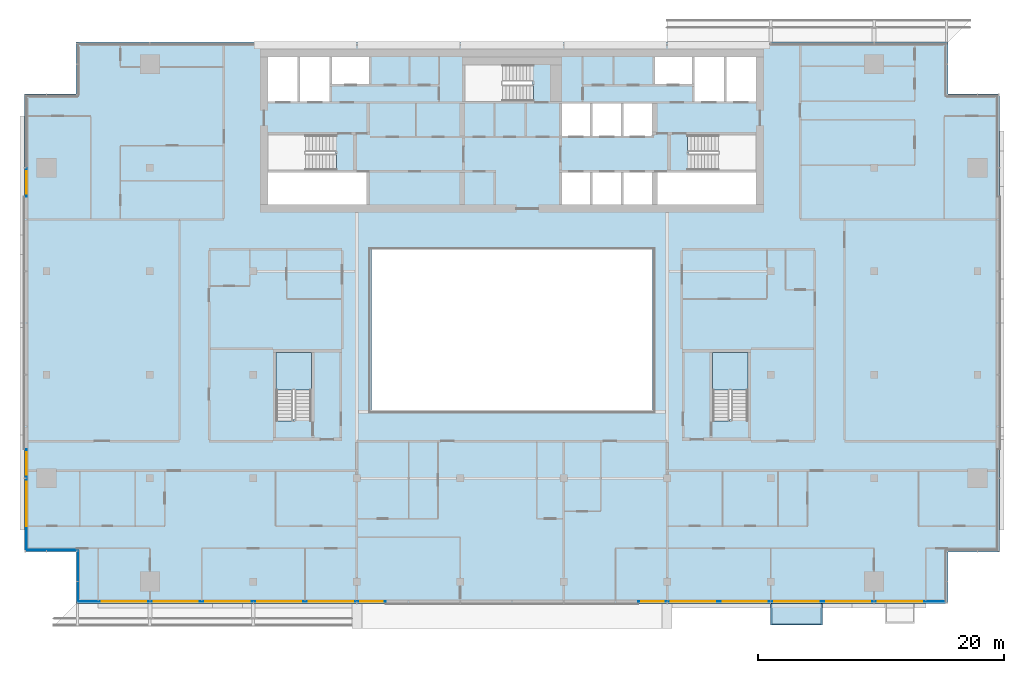
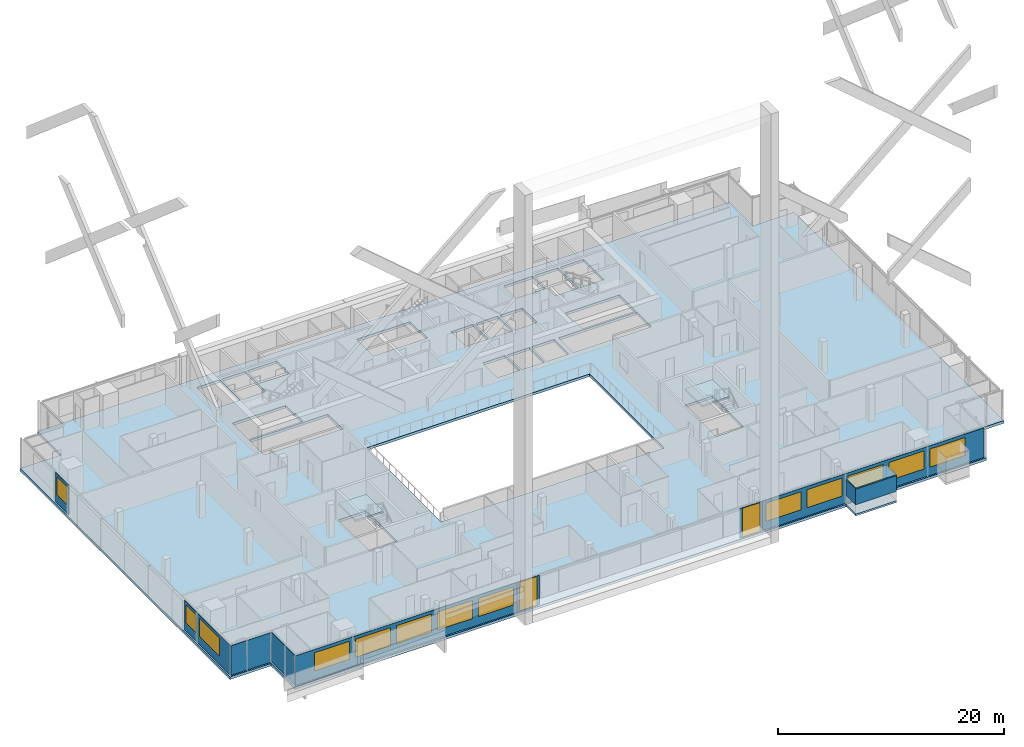
# One storey, part 17 of 31: 15 windows, 11 plates, 4 slabs, 15 openings, 6 elements without a shape of their own.
"""IFC4 building model written with IfcOpenShell, lengths in metres."""

from ifc_helpers import new_model, si_unit, direction, frame, frame_2d, origin, place, context, subcontext, project, spatial, polyline, rectangle, outline, extrude, material, layer, layer_set, type_object, element, fill, aggregate, save


model = new_model("IFC4")

# Units and contexts
model_context = context("Model", 3, precision=1e-05, world=origin(), true_north=direction((0.0, 1.0)))
body_context = subcontext(model_context, "Body", "Model", "MODEL_VIEW")
ifc_project = project(units=[si_unit("LENGTHUNIT", "METRE"), si_unit("AREAUNIT", "SQUARE_METRE"), si_unit("VOLUMEUNIT", "CUBIC_METRE"), si_unit("PLANEANGLEUNIT", "RADIAN"), si_unit("MASSUNIT", "GRAM", prefix="KILO")], contexts=[model_context])

# Site, building, storey
site_placement = place(None, origin())
site = spatial("IfcSite", under=ifc_project, at=site_placement, CompositionType="ELEMENT")
building_placement = place(site_placement, origin())
building = spatial("IfcBuilding", under=site, at=building_placement, Name="Saffron Gate Tower", CompositionType="ELEMENT")
storey_placement = place(building_placement, frame((0.0, 0.0, 205.5)))
storey = spatial("IfcBuildingStorey", under=building, at=storey_placement, Name="L49", CompositionType="ELEMENT", Elevation=205.5)

# Curtain wall, plates, openings, windows
ifc_material_1 = material(Name="Aluminium, bronze anodised", Category="aluminium")
curtain_wall_type_1 = type_object("IfcCurtainWallType", Name="CWS1 curtain wall front facade", PredefinedType="NOTDEFINED", material=ifc_material_1)
curtain_wall_1_placement = place(storey_placement, origin())
curtain_wall_1 = element("IfcCurtainWall", 1, at=curtain_wall_1_placement, inside=storey, type_object=curtain_wall_type_1, Name="CWS1 run 1", PredefinedType="NOTDEFINED")
ifc_material_2 = material(Name="Clear low-iron laminated glass", Category="glass")
ifc_layer_1 = layer(ifc_material_2, 0.028076171875)
ifc_layer_set_1 = layer_set([ifc_layer_1], Name="CWS1 clear glass")
plate_type_1 = type_object("IfcPlateType", Name="CWS1 clear glass", PredefinedType="CURTAIN_PANEL", material=ifc_layer_set_1)
plate_1_placement = place(storey_placement, frame((75.030029296875, 30.174072265625, 0.0), z_axis=(0.0, 0.0, 1.0), x_axis=(1.0, 0.0, 0.0)))
plate_1 = element("IfcPlate", 2, at=plate_1_placement, type_object=plate_type_1, Name="CWS1 clear glass panel", PredefinedType="CURTAIN_PANEL", context=body_context, shape_type="SweptSolid", body=[
    extrude(rectangle(XDim=2.32080078125, YDim=0.028076171875, at=frame_2d((1.160400390625, 0.0))), origin(), (0.0, 0.0, 1.0), 3.199951171875),
])
opening_1_placement = place(plate_1_placement, frame((0.260498046875, 0.0, 0.050048828125)))
opening_1 = element("IfcOpeningElement", 3, at=opening_1_placement, cuts=plate_1, Name="Opening WAN18", PredefinedType="OPENING", context=body_context, shape_type="SweptSolid", body=[
    extrude(rectangle(XDim=1.800048828125, YDim=3.10009765625, at=frame_2d((0.89990234375, 1.550048828125))), frame((0.0, 0.02392578125, 0.0), z_axis=(0.0, -1.0, 0.0), x_axis=(1.0, 0.0, 0.0)), (0.0, 0.0, 1.0), 0.048095703125),
])
ifc_material_3 = material(Name="Clear low-iron laminated glass in bronze frame", Category="glass")
ifc_layer_2 = layer(ifc_material_3, 0.06005859375)
ifc_layer_set_2 = layer_set([ifc_layer_2], Name="WAN18 operable atrium unit 1800x3100")
window_type_1 = type_object("IfcWindowType", Name="WAN18 operable atrium unit 1800x3100", PartitioningType="DOUBLE_PANEL_HORIZONTAL", PredefinedType="WINDOW", material=ifc_layer_set_2)
window_1_placement = place(opening_1_placement, origin())
window_1 = element("IfcWindow", 4, at=window_1_placement, type_object=window_type_1, Name="WAN18 operable atrium unit", OverallHeight=3.10009765625, OverallWidth=1.800048828125, PartitioningType="SINGLE_PANEL", PredefinedType="WINDOW", context=body_context, shape_type="SweptSolid", body=[
    extrude(rectangle(XDim=1.800048828125, YDim=3.10009765625, at=frame_2d((0.89990234375, 1.550048828125))), frame((0.0, 0.013671875, 0.0), z_axis=(0.0, -1.0, 0.0), x_axis=(1.0, 0.0, 0.0)), (0.0, 0.0, 1.0), 0.027587890625),
])
fill(opening_1, window_1)
plate_2_placement = place(storey_placement, frame((97.84912109375, 30.174072265625, 0.0), z_axis=(0.0, 0.0, 1.0), x_axis=(1.0, 0.0, 0.0)))
plate_2 = element("IfcPlate", 5, at=plate_2_placement, type_object=plate_type_1, Name="CWS1 clear glass panel", PredefinedType="CURTAIN_PANEL", context=body_context, shape_type="SweptSolid", body=[
    extrude(rectangle(XDim=2.32080078125, YDim=0.028076171875, at=frame_2d((1.160400390625, 0.0))), origin(), (0.0, 0.0, 1.0), 3.199951171875),
])
opening_2_placement = place(plate_2_placement, frame((0.260498046875, 0.0, 0.050048828125)))
opening_2 = element("IfcOpeningElement", 6, at=opening_2_placement, cuts=plate_2, Name="Opening WAN18", PredefinedType="OPENING", context=body_context, shape_type="SweptSolid", body=[
    extrude(rectangle(XDim=1.800048828125, YDim=3.10009765625, at=frame_2d((0.89990234375, 1.550048828125))), frame((0.0, 0.02392578125, 0.0), z_axis=(0.0, -1.0, 0.0), x_axis=(1.0, 0.0, 0.0)), (0.0, 0.0, 1.0), 0.048095703125),
])
window_2_placement = place(opening_2_placement, origin())
window_2 = element("IfcWindow", 7, at=window_2_placement, type_object=window_type_1, Name="WAN18 operable atrium unit", OverallHeight=3.10009765625, OverallWidth=1.800048828125, PartitioningType="SINGLE_PANEL", PredefinedType="WINDOW", context=body_context, shape_type="SweptSolid", body=[
    extrude(rectangle(XDim=1.800048828125, YDim=3.10009765625, at=frame_2d((0.89990234375, 1.550048828125))), frame((0.0, 0.013671875, 0.0), z_axis=(0.0, -1.0, 0.0), x_axis=(1.0, 0.0, 0.0)), (0.0, 0.0, 1.0), 0.027587890625),
])
fill(opening_2, window_2)
ifc_material_4 = material(Name="Fritted bronze-tinted laminated glass", Category="glass")
ifc_layer_3 = layer(ifc_material_4, 0.028076171875)
ifc_layer_set_3 = layer_set([ifc_layer_3], Name="CWS1 fixed glass")
plate_type_2 = type_object("IfcPlateType", Name="CWS1 fixed glass", PredefinedType="CURTAIN_PANEL", material=ifc_layer_set_3)
plate_3_placement = place(storey_placement, frame((52.387939453125, 30.174072265625, 0.0), z_axis=(0.0, 0.0, 1.0), x_axis=(1.0, 0.0, 0.0)))
plate_3 = element("IfcPlate", 8, at=plate_3_placement, type_object=plate_type_2, Name="CWS1 glass panel", PredefinedType="CURTAIN_PANEL", context=body_context, shape_type="SweptSolid", body=[
    extrude(rectangle(XDim=22.64208984375, YDim=0.028076171875, at=frame_2d((11.321044921875, 0.0))), origin(), (0.0, 0.0, 1.0), 3.199951171875),
])
opening_3_placement = place(plate_3_placement, frame((1.912109375, 0.0, 0.89990234375)))
opening_3 = element("IfcOpeningElement", 9, at=opening_3_placement, cuts=plate_3, Name="Opening W1", PredefinedType="OPENING", context=body_context, shape_type="SweptSolid", body=[
    extrude(rectangle(XDim=3.60009765625, YDim=1.949951171875, at=frame_2d((1.800048828125, 0.97509765625))), frame((0.0, 0.02392578125, 0.0), z_axis=(0.0, -1.0, 0.0), x_axis=(1.0, 0.0, 0.0)), (0.0, 0.0, 1.0), 0.048095703125),
])
opening_4_placement = place(plate_3_placement, frame((6.112060546875, 0.0, 0.89990234375)))
opening_4 = element("IfcOpeningElement", 10, at=opening_4_placement, cuts=plate_3, Name="Opening W1", PredefinedType="OPENING", context=body_context, shape_type="SweptSolid", body=[
    extrude(rectangle(XDim=3.60009765625, YDim=1.949951171875, at=frame_2d((1.800048828125, 0.97509765625))), frame((0.0, 0.02392578125, 0.0), z_axis=(0.0, -1.0, 0.0), x_axis=(1.0, 0.0, 0.0)), (0.0, 0.0, 1.0), 0.048095703125),
])
opening_5_placement = place(plate_3_placement, frame((10.31201171875, 0.0, 0.89990234375)))
opening_5 = element("IfcOpeningElement", 11, at=opening_5_placement, cuts=plate_3, Name="Opening W1", PredefinedType="OPENING", context=body_context, shape_type="SweptSolid", body=[
    extrude(rectangle(XDim=3.60009765625, YDim=1.949951171875, at=frame_2d((1.800048828125, 0.97509765625))), frame((0.0, 0.02392578125, 0.0), z_axis=(0.0, -1.0, 0.0), x_axis=(1.0, 0.0, 0.0)), (0.0, 0.0, 1.0), 0.048095703125),
])
opening_6_placement = place(plate_3_placement, frame((14.511962890625, 0.0, 0.89990234375)))
opening_6 = element("IfcOpeningElement", 12, at=opening_6_placement, cuts=plate_3, Name="Opening W1", PredefinedType="OPENING", context=body_context, shape_type="SweptSolid", body=[
    extrude(rectangle(XDim=3.60009765625, YDim=1.949951171875, at=frame_2d((1.800048828125, 0.97509765625))), frame((0.0, 0.02392578125, 0.0), z_axis=(0.0, -1.0, 0.0), x_axis=(1.0, 0.0, 0.0)), (0.0, 0.0, 1.0), 0.048095703125),
])
opening_7_placement = place(plate_3_placement, frame((18.7119140625, 0.0, 0.89990234375)))
opening_7 = element("IfcOpeningElement", 13, at=opening_7_placement, cuts=plate_3, Name="Opening W1", PredefinedType="OPENING", context=body_context, shape_type="SweptSolid", body=[
    extrude(rectangle(XDim=3.60009765625, YDim=1.949951171875, at=frame_2d((1.800048828125, 0.97509765625))), frame((0.0, 0.02392578125, 0.0), z_axis=(0.0, -1.0, 0.0), x_axis=(1.0, 0.0, 0.0)), (0.0, 0.0, 1.0), 0.048095703125),
])
ifc_material_5 = material(Name="Fritted bronze-tinted laminated glass in bronze frame", Category="glass")
ifc_layer_4 = layer(ifc_material_5, 0.06005859375)
ifc_layer_set_4 = layer_set([ifc_layer_4], Name="W1 operable panel 3600x1950")
window_type_2 = type_object("IfcWindowType", Name="W1 operable panel 3600x1950", PartitioningType="DOUBLE_PANEL_HORIZONTAL", PredefinedType="WINDOW", material=ifc_layer_set_4)
window_3_placement = place(opening_3_placement, origin())
window_3 = element("IfcWindow", 14, at=window_3_placement, type_object=window_type_2, Name="W1 operable panel", OverallHeight=1.949951171875, OverallWidth=3.60009765625, PartitioningType="SINGLE_PANEL", PredefinedType="WINDOW", context=body_context, shape_type="SweptSolid", body=[
    extrude(rectangle(XDim=3.60009765625, YDim=1.949951171875, at=frame_2d((1.800048828125, 0.97509765625))), frame((0.0, 0.013671875, 0.0), z_axis=(0.0, -1.0, 0.0), x_axis=(1.0, 0.0, 0.0)), (0.0, 0.0, 1.0), 0.027587890625),
])
fill(opening_3, window_3)
window_4_placement = place(opening_4_placement, origin())
window_4 = element("IfcWindow", 15, at=window_4_placement, type_object=window_type_2, Name="W1 operable panel", OverallHeight=1.949951171875, OverallWidth=3.60009765625, PartitioningType="SINGLE_PANEL", PredefinedType="WINDOW", context=body_context, shape_type="SweptSolid", body=[
    extrude(rectangle(XDim=3.60009765625, YDim=1.949951171875, at=frame_2d((1.800048828125, 0.97509765625))), frame((0.0, 0.013671875, 0.0), z_axis=(0.0, -1.0, 0.0), x_axis=(1.0, 0.0, 0.0)), (0.0, 0.0, 1.0), 0.027587890625),
])
fill(opening_4, window_4)
window_5_placement = place(opening_5_placement, origin())
window_5 = element("IfcWindow", 16, at=window_5_placement, type_object=window_type_2, Name="W1 operable panel", OverallHeight=1.949951171875, OverallWidth=3.60009765625, PartitioningType="SINGLE_PANEL", PredefinedType="WINDOW", context=body_context, shape_type="SweptSolid", body=[
    extrude(rectangle(XDim=3.60009765625, YDim=1.949951171875, at=frame_2d((1.800048828125, 0.97509765625))), frame((0.0, 0.013671875, 0.0), z_axis=(0.0, -1.0, 0.0), x_axis=(1.0, 0.0, 0.0)), (0.0, 0.0, 1.0), 0.027587890625),
])
fill(opening_5, window_5)
window_6_placement = place(opening_6_placement, origin())
window_6 = element("IfcWindow", 17, at=window_6_placement, type_object=window_type_2, Name="W1 operable panel", OverallHeight=1.949951171875, OverallWidth=3.60009765625, PartitioningType="SINGLE_PANEL", PredefinedType="WINDOW", context=body_context, shape_type="SweptSolid", body=[
    extrude(rectangle(XDim=3.60009765625, YDim=1.949951171875, at=frame_2d((1.800048828125, 0.97509765625))), frame((0.0, 0.013671875, 0.0), z_axis=(0.0, -1.0, 0.0), x_axis=(1.0, 0.0, 0.0)), (0.0, 0.0, 1.0), 0.027587890625),
])
fill(opening_6, window_6)
window_7_placement = place(opening_7_placement, origin())
window_7 = element("IfcWindow", 18, at=window_7_placement, type_object=window_type_2, Name="W1 operable panel", OverallHeight=1.949951171875, OverallWidth=3.60009765625, PartitioningType="SINGLE_PANEL", PredefinedType="WINDOW", context=body_context, shape_type="SweptSolid", body=[
    extrude(rectangle(XDim=3.60009765625, YDim=1.949951171875, at=frame_2d((1.800048828125, 0.97509765625))), frame((0.0, 0.013671875, 0.0), z_axis=(0.0, -1.0, 0.0), x_axis=(1.0, 0.0, 0.0)), (0.0, 0.0, 1.0), 0.027587890625),
])
fill(opening_7, window_7)
plate_4_placement = place(storey_placement, frame((100.169921875, 30.174072265625, 0.0), z_axis=(0.0, 0.0, 1.0), x_axis=(1.0, 0.0, 0.0)))
plate_4 = element("IfcPlate", 19, at=plate_4_placement, type_object=plate_type_2, Name="CWS1 glass panel", PredefinedType="CURTAIN_PANEL", context=body_context, shape_type="SweptSolid", body=[
    extrude(rectangle(XDim=22.64208984375, YDim=0.028076171875, at=frame_2d((11.321044921875, 0.0))), origin(), (0.0, 0.0, 1.0), 3.199951171875),
])
opening_8_placement = place(plate_4_placement, frame((0.330078125, 0.0, 0.89990234375)))
opening_8 = element("IfcOpeningElement", 20, at=opening_8_placement, cuts=plate_4, Name="Opening W1", PredefinedType="OPENING", context=body_context, shape_type="SweptSolid", body=[
    extrude(rectangle(XDim=3.60009765625, YDim=1.949951171875, at=frame_2d((1.800048828125, 0.97509765625))), frame((0.0, 0.02392578125, 0.0), z_axis=(0.0, -1.0, 0.0), x_axis=(1.0, 0.0, 0.0)), (0.0, 0.0, 1.0), 0.048095703125),
])
opening_9_placement = place(plate_4_placement, frame((4.530029296875, 0.0, 0.89990234375)))
opening_9 = element("IfcOpeningElement", 21, at=opening_9_placement, cuts=plate_4, Name="Opening W1", PredefinedType="OPENING", context=body_context, shape_type="SweptSolid", body=[
    extrude(rectangle(XDim=3.60009765625, YDim=1.949951171875, at=frame_2d((1.800048828125, 0.97509765625))), frame((0.0, 0.02392578125, 0.0), z_axis=(0.0, -1.0, 0.0), x_axis=(1.0, 0.0, 0.0)), (0.0, 0.0, 1.0), 0.048095703125),
])
opening_10_placement = place(plate_4_placement, frame((8.72998046875, 0.0, 0.89990234375)))
opening_10 = element("IfcOpeningElement", 22, at=opening_10_placement, cuts=plate_4, Name="Opening W1", PredefinedType="OPENING", context=body_context, shape_type="SweptSolid", body=[
    extrude(rectangle(XDim=3.60009765625, YDim=1.949951171875, at=frame_2d((1.800048828125, 0.97509765625))), frame((0.0, 0.02392578125, 0.0), z_axis=(0.0, -1.0, 0.0), x_axis=(1.0, 0.0, 0.0)), (0.0, 0.0, 1.0), 0.048095703125),
])
opening_11_placement = place(plate_4_placement, frame((12.929931640625, 0.0, 0.89990234375)))
opening_11 = element("IfcOpeningElement", 23, at=opening_11_placement, cuts=plate_4, Name="Opening W1", PredefinedType="OPENING", context=body_context, shape_type="SweptSolid", body=[
    extrude(rectangle(XDim=3.60009765625, YDim=1.949951171875, at=frame_2d((1.800048828125, 0.97509765625))), frame((0.0, 0.02392578125, 0.0), z_axis=(0.0, -1.0, 0.0), x_axis=(1.0, 0.0, 0.0)), (0.0, 0.0, 1.0), 0.048095703125),
])
opening_12_placement = place(plate_4_placement, frame((17.1298828125, 0.0, 0.89990234375)))
opening_12 = element("IfcOpeningElement", 24, at=opening_12_placement, cuts=plate_4, Name="Opening W1", PredefinedType="OPENING", context=body_context, shape_type="SweptSolid", body=[
    extrude(rectangle(XDim=3.60009765625, YDim=1.949951171875, at=frame_2d((1.800048828125, 0.97509765625))), frame((0.0, 0.02392578125, 0.0), z_axis=(0.0, -1.0, 0.0), x_axis=(1.0, 0.0, 0.0)), (0.0, 0.0, 1.0), 0.048095703125),
])
window_8_placement = place(opening_8_placement, origin())
window_8 = element("IfcWindow", 25, at=window_8_placement, type_object=window_type_2, Name="W1 operable panel", OverallHeight=1.949951171875, OverallWidth=3.60009765625, PartitioningType="SINGLE_PANEL", PredefinedType="WINDOW", context=body_context, shape_type="SweptSolid", body=[
    extrude(rectangle(XDim=3.60009765625, YDim=1.949951171875, at=frame_2d((1.800048828125, 0.97509765625))), frame((0.0, 0.013671875, 0.0), z_axis=(0.0, -1.0, 0.0), x_axis=(1.0, 0.0, 0.0)), (0.0, 0.0, 1.0), 0.027587890625),
])
fill(opening_8, window_8)
window_9_placement = place(opening_9_placement, origin())
window_9 = element("IfcWindow", 26, at=window_9_placement, type_object=window_type_2, Name="W1 operable panel", OverallHeight=1.949951171875, OverallWidth=3.60009765625, PartitioningType="SINGLE_PANEL", PredefinedType="WINDOW", context=body_context, shape_type="SweptSolid", body=[
    extrude(rectangle(XDim=3.60009765625, YDim=1.949951171875, at=frame_2d((1.800048828125, 0.97509765625))), frame((0.0, 0.013671875, 0.0), z_axis=(0.0, -1.0, 0.0), x_axis=(1.0, 0.0, 0.0)), (0.0, 0.0, 1.0), 0.027587890625),
])
fill(opening_9, window_9)
window_10_placement = place(opening_10_placement, origin())
window_10 = element("IfcWindow", 27, at=window_10_placement, type_object=window_type_2, Name="W1 operable panel", OverallHeight=1.949951171875, OverallWidth=3.60009765625, PartitioningType="SINGLE_PANEL", PredefinedType="WINDOW", context=body_context, shape_type="SweptSolid", body=[
    extrude(rectangle(XDim=3.60009765625, YDim=1.949951171875, at=frame_2d((1.800048828125, 0.97509765625))), frame((0.0, 0.013671875, 0.0), z_axis=(0.0, -1.0, 0.0), x_axis=(1.0, 0.0, 0.0)), (0.0, 0.0, 1.0), 0.027587890625),
])
fill(opening_10, window_10)
window_11_placement = place(opening_11_placement, origin())
window_11 = element("IfcWindow", 28, at=window_11_placement, type_object=window_type_2, Name="W1 operable panel", OverallHeight=1.949951171875, OverallWidth=3.60009765625, PartitioningType="SINGLE_PANEL", PredefinedType="WINDOW", context=body_context, shape_type="SweptSolid", body=[
    extrude(rectangle(XDim=3.60009765625, YDim=1.949951171875, at=frame_2d((1.800048828125, 0.97509765625))), frame((0.0, 0.013671875, 0.0), z_axis=(0.0, -1.0, 0.0), x_axis=(1.0, 0.0, 0.0)), (0.0, 0.0, 1.0), 0.027587890625),
])
fill(opening_11, window_11)
window_12_placement = place(opening_12_placement, origin())
window_12 = element("IfcWindow", 29, at=window_12_placement, type_object=window_type_2, Name="W1 operable panel", OverallHeight=1.949951171875, OverallWidth=3.60009765625, PartitioningType="SINGLE_PANEL", PredefinedType="WINDOW", context=body_context, shape_type="SweptSolid", body=[
    extrude(rectangle(XDim=3.60009765625, YDim=1.949951171875, at=frame_2d((1.800048828125, 0.97509765625))), frame((0.0, 0.013671875, 0.0), z_axis=(0.0, -1.0, 0.0), x_axis=(1.0, 0.0, 0.0)), (0.0, 0.0, 1.0), 0.027587890625),
])
fill(opening_12, window_12)
aggregate(curtain_wall_1, [plate_3, plate_4, plate_1, plate_2, window_3, window_4, window_5, window_6, window_7, window_8, window_9, window_10, window_11, window_12, window_1, window_2])

curtain_wall_type_2 = type_object("IfcCurtainWallType", Name="CWS2 curtain wall side facades", PredefinedType="NOTDEFINED", material=ifc_material_1)
curtain_wall_2_placement = place(storey_placement, origin())
curtain_wall_2 = element("IfcCurtainWall", 30, at=curtain_wall_2_placement, inside=storey, type_object=curtain_wall_type_2, Name="CWS2 run 10", PredefinedType="NOTDEFINED")
ifc_layer_5 = layer(ifc_material_4, 0.028076171875)
ifc_layer_set_5 = layer_set([ifc_layer_5], Name="CWS2 fixed glass")
plate_type_3 = type_object("IfcPlateType", Name="CWS2 fixed glass", PredefinedType="CURTAIN_PANEL", material=ifc_layer_set_5)
plate_5_placement = place(storey_placement, frame((48.174072265625, 40.22998046875, 0.0), z_axis=(0.0, 0.0, 1.0), x_axis=(0.0, -1.0, 0.0)))
plate_5 = element("IfcPlate", 31, at=plate_5_placement, type_object=plate_type_3, Name="CWS2 glass panel", PredefinedType="CURTAIN_PANEL", context=body_context, shape_type="SweptSolid", body=[
    extrude(rectangle(XDim=5.842041015625, YDim=0.028076171875, at=frame_2d((2.9208984375, 0.0))), origin(), (0.0, 0.0, 1.0), 3.199951171875),
])
opening_13_placement = place(plate_5_placement, frame((0.330078125, 0.0, 0.89990234375)))
opening_13 = element("IfcOpeningElement", 32, at=opening_13_placement, cuts=plate_5, Name="Opening W1", PredefinedType="OPENING", context=body_context, shape_type="SweptSolid", body=[
    extrude(rectangle(XDim=3.60009765625, YDim=1.949951171875, at=frame_2d((1.800048828125, 0.97509765625))), frame((0.0, 0.02392578125, 0.0), z_axis=(0.0, -1.0, 0.0), x_axis=(1.0, 0.0, 0.0)), (0.0, 0.0, 1.0), 0.048095703125),
])
window_13_placement = place(opening_13_placement, origin())
window_13 = element("IfcWindow", 33, at=window_13_placement, type_object=window_type_2, Name="W1 operable panel", OverallHeight=1.949951171875, OverallWidth=3.60009765625, PartitioningType="SINGLE_PANEL", PredefinedType="WINDOW", context=body_context, shape_type="SweptSolid", body=[
    extrude(rectangle(XDim=3.60009765625, YDim=1.949951171875, at=frame_2d((1.800048828125, 0.97509765625))), frame((0.0, 0.013671875, 0.0), z_axis=(0.0, -1.0, 0.0), x_axis=(1.0, 0.0, 0.0)), (0.0, 0.0, 1.0), 0.027587890625),
])
fill(opening_13, window_13)
plate_6_placement = place(storey_placement, frame((48.174072265625, 65.3701171875, 0.0), z_axis=(0.0, 0.0, 1.0), x_axis=(0.0, -1.0, 0.0)))
plate_6 = element("IfcPlate", 34, at=plate_6_placement, type_object=plate_type_3, Name="CWS2 glass panel", PredefinedType="CURTAIN_PANEL", context=body_context, shape_type="SweptSolid", body=[
    extrude(rectangle(XDim=2.32080078125, YDim=0.028076171875, at=frame_2d((1.160400390625, 0.0))), origin(), (0.0, 0.0, 1.0), 3.199951171875),
])
opening_14_placement = place(plate_6_placement, frame((0.260498046875, 0.0, 0.89990234375)))
opening_14 = element("IfcOpeningElement", 35, at=opening_14_placement, cuts=plate_6, Name="Opening W1N18", PredefinedType="OPENING", context=body_context, shape_type="SweptSolid", body=[
    extrude(rectangle(XDim=1.800048828125, YDim=1.949951171875, at=frame_2d((0.89990234375, 0.97509765625))), frame((0.0, 0.02392578125, 0.0), z_axis=(0.0, -1.0, 0.0), x_axis=(1.0, 0.0, 0.0)), (0.0, 0.0, 1.0), 0.048095703125),
])
ifc_layer_6 = layer(ifc_material_5, 0.06005859375)
ifc_layer_set_6 = layer_set([ifc_layer_6], Name="W1N18 operable panel 1800x1950")
window_type_3 = type_object("IfcWindowType", Name="W1N18 operable panel 1800x1950", PartitioningType="DOUBLE_PANEL_HORIZONTAL", PredefinedType="WINDOW", material=ifc_layer_set_6)
window_14_placement = place(opening_14_placement, origin())
window_14 = element("IfcWindow", 36, at=window_14_placement, type_object=window_type_3, Name="W1N18 operable panel", OverallHeight=1.949951171875, OverallWidth=1.800048828125, PartitioningType="SINGLE_PANEL", PredefinedType="WINDOW", context=body_context, shape_type="SweptSolid", body=[
    extrude(rectangle(XDim=1.800048828125, YDim=1.949951171875, at=frame_2d((0.89990234375, 0.97509765625))), frame((0.0, 0.013671875, 0.0), z_axis=(0.0, -1.0, 0.0), x_axis=(1.0, 0.0, 0.0)), (0.0, 0.0, 1.0), 0.027587890625),
])
fill(opening_14, window_14)
plate_7_placement = place(storey_placement, frame((48.174072265625, 42.55078125, 0.0), z_axis=(0.0, 0.0, 1.0), x_axis=(0.0, -1.0, 0.0)))
plate_7 = element("IfcPlate", 37, at=plate_7_placement, type_object=plate_type_3, Name="CWS2 glass panel", PredefinedType="CURTAIN_PANEL", context=body_context, shape_type="SweptSolid", body=[
    extrude(rectangle(XDim=2.32080078125, YDim=0.028076171875, at=frame_2d((1.160400390625, 0.0))), origin(), (0.0, 0.0, 1.0), 3.199951171875),
])
opening_15_placement = place(plate_7_placement, frame((0.260498046875, 0.0, 0.89990234375)))
opening_15 = element("IfcOpeningElement", 38, at=opening_15_placement, cuts=plate_7, Name="Opening W1N18", PredefinedType="OPENING", context=body_context, shape_type="SweptSolid", body=[
    extrude(rectangle(XDim=1.800048828125, YDim=1.949951171875, at=frame_2d((0.89990234375, 0.97509765625))), frame((0.0, 0.02392578125, 0.0), z_axis=(0.0, -1.0, 0.0), x_axis=(1.0, 0.0, 0.0)), (0.0, 0.0, 1.0), 0.048095703125),
])
window_15_placement = place(opening_15_placement, origin())
window_15 = element("IfcWindow", 39, at=window_15_placement, type_object=window_type_3, Name="W1N18 operable panel", OverallHeight=1.949951171875, OverallWidth=1.800048828125, PartitioningType="SINGLE_PANEL", PredefinedType="WINDOW", context=body_context, shape_type="SweptSolid", body=[
    extrude(rectangle(XDim=1.800048828125, YDim=1.949951171875, at=frame_2d((0.89990234375, 0.97509765625))), frame((0.0, 0.013671875, 0.0), z_axis=(0.0, -1.0, 0.0), x_axis=(1.0, 0.0, 0.0)), (0.0, 0.0, 1.0), 0.027587890625),
])
fill(opening_15, window_15)
aggregate(curtain_wall_2, [plate_5, plate_6, plate_7, window_13, window_14, window_15])

# Curtain wall, plate
curtain_wall_type_3 = type_object("IfcCurtainWallType", Name="CWS4 curtain wall corner returns", PredefinedType="NOTDEFINED", material=ifc_material_1)
curtain_wall_3_placement = place(storey_placement, origin())
curtain_wall_3 = element("IfcCurtainWall", 40, at=curtain_wall_3_placement, inside=storey, type_object=curtain_wall_type_3, Name="CWS4 run 11", PredefinedType="NOTDEFINED")
ifc_layer_7 = layer(ifc_material_4, 0.028076171875)
ifc_layer_set_7 = layer_set([ifc_layer_7], Name="CWS4 fixed glass")
plate_type_4 = type_object("IfcPlateType", Name="CWS4 fixed glass", PredefinedType="CURTAIN_PANEL", material=ifc_layer_set_7)
plate_8_placement = place(storey_placement, frame((48.18798828125, 34.3740234375, 0.0), z_axis=(0.0, 0.0, 1.0), x_axis=(1.0, 0.0, 0.0)))
plate_8 = element("IfcPlate", 41, at=plate_8_placement, type_object=plate_type_4, Name="CWS4 glass panel", PredefinedType="CURTAIN_PANEL", context=body_context, shape_type="SweptSolid", body=[
    extrude(rectangle(XDim=4.172119140625, YDim=0.028076171875, at=frame_2d((2.0859375, 0.0))), origin(), (0.0, 0.0, 1.0), 3.199951171875),
])
aggregate(curtain_wall_3, [plate_8])

curtain_wall_4_placement = place(storey_placement, origin())
curtain_wall_4 = element("IfcCurtainWall", 42, at=curtain_wall_4_placement, inside=storey, type_object=curtain_wall_type_3, Name="CWS4 run 12", PredefinedType="NOTDEFINED")
plate_9_placement = place(storey_placement, frame((52.3740234375, 34.360107421875, 0.0), z_axis=(0.0, 0.0, 1.0), x_axis=(0.0, -1.0, 0.0)))
plate_9 = element("IfcPlate", 43, at=plate_9_placement, type_object=plate_type_4, Name="CWS4 glass panel", PredefinedType="CURTAIN_PANEL", context=body_context, shape_type="SweptSolid", body=[
    extrude(rectangle(XDim=4.172119140625, YDim=0.028076171875, at=frame_2d((2.0859375, 0.0))), origin(), (0.0, 0.0, 1.0), 3.199951171875),
])
aggregate(curtain_wall_4, [plate_9])

# Slab
ifc_material_6 = material(Name="Concrete C40", Category="concrete")
ifc_layer_8 = layer(ifc_material_6, 0.280029296875)
ifc_layer_set_8 = layer_set([ifc_layer_8], Name="S2 FLOOR SLAB 280 CONCRETE C40")
slab_type_1 = type_object("IfcSlabType", Name="S2 FLOOR SLAB 280 CONCRETE C40", PredefinedType="FLOOR", material=ifc_layer_set_8)
slab_1_placement = place(storey_placement, frame((0.0, 0.0, -0.280029296875)))
element("IfcSlab", 44, at=slab_1_placement, inside=storey, type_object=slab_type_1, Name="S2 FLOOR SLAB", PredefinedType="FLOOR", context=body_context, shape_type="SweptSolid", body=[
    extrude(outline(polyline([(48.0, 34.199951171875), (52.199951171875, 34.199951171875), (52.199951171875, 30.0), (123.0, 30.0), (123.0, 34.199951171875), (127.199951171875, 34.199951171875), (127.199951171875, 71.39990234375), (123.0, 71.39990234375), (123.0, 75.60009765625), (52.199951171875, 75.60009765625), (52.199951171875, 71.39990234375), (48.0, 71.39990234375), (48.0, 34.199951171875)]), holes=[polyline([(67.800048828125, 62.39990234375), (67.800048828125, 65.0), (75.800048828125, 65.0), (75.800048828125, 62.39990234375), (67.800048828125, 62.39990234375)]), polyline([(67.800048828125, 65.199951171875), (67.800048828125, 68.050048828125), (73.25, 68.050048828125), (73.25, 66.550048828125), (73.34912109375, 66.550048828125), (73.34912109375, 65.199951171875), (67.800048828125, 65.199951171875)]), polyline([(67.800048828125, 70.800048828125), (67.800048828125, 74.39990234375), (70.199951171875, 74.39990234375), (70.199951171875, 70.800048828125), (67.800048828125, 70.800048828125)]), polyline([(68.449951171875, 44.85107421875), (68.449951171875, 50.39990234375), (71.300048828125, 50.39990234375), (71.300048828125, 44.949951171875), (69.800048828125, 44.949951171875), (69.800048828125, 44.85107421875), (68.449951171875, 44.85107421875)]), polyline([(70.39990234375, 70.800048828125), (70.39990234375, 74.39990234375), (72.800048828125, 74.39990234375), (72.800048828125, 70.800048828125), (70.39990234375, 70.800048828125)]), polyline([(73.0, 72.199951171875), (73.0, 74.39990234375), (76.0, 74.39990234375), (76.0, 72.199951171875), (73.0, 72.199951171875)]), polyline([(76.199951171875, 45.60009765625), (76.199951171875, 58.800048828125), (99.0, 58.800048828125), (99.0, 45.60009765625), (76.199951171875, 45.60009765625)]), polyline([(83.800048828125, 70.800048828125), (83.800048828125, 73.75), (89.25, 73.75), (89.25, 72.14990234375), (89.34912109375, 72.14990234375), (89.34912109375, 70.800048828125), (83.800048828125, 70.800048828125)]), polyline([(91.64990234375, 62.39990234375), (91.64990234375, 65.0), (93.949951171875, 65.0), (93.949951171875, 62.39990234375), (91.64990234375, 62.39990234375)]), polyline([(91.64990234375, 68.0), (91.64990234375, 70.60009765625), (93.949951171875, 70.60009765625), (93.949951171875, 68.0), (91.64990234375, 68.0)]), polyline([(94.14990234375, 62.39990234375), (94.14990234375, 65.0), (96.449951171875, 65.0), (96.449951171875, 62.39990234375), (94.14990234375, 62.39990234375)]), polyline([(94.14990234375, 68.0), (94.14990234375, 70.60009765625), (96.449951171875, 70.60009765625), (96.449951171875, 68.0), (94.14990234375, 68.0)]), polyline([(96.64990234375, 62.39990234375), (96.64990234375, 65.0), (98.949951171875, 65.0), (98.949951171875, 62.39990234375), (96.64990234375, 62.39990234375)]), polyline([(96.64990234375, 68.0), (96.64990234375, 70.60009765625), (98.949951171875, 70.60009765625), (98.949951171875, 68.0), (96.64990234375, 68.0)]), polyline([(99.199951171875, 72.199951171875), (99.199951171875, 74.39990234375), (102.199951171875, 74.39990234375), (102.199951171875, 72.199951171875), (99.199951171875, 72.199951171875)]), polyline([(99.39990234375, 62.39990234375), (99.39990234375, 65.0), (107.39990234375, 65.0), (107.39990234375, 62.39990234375), (99.39990234375, 62.39990234375)]), polyline([(101.85107421875, 66.699951171875), (101.85107421875, 68.050048828125), (107.39990234375, 68.050048828125), (107.39990234375, 65.199951171875), (101.949951171875, 65.199951171875), (101.949951171875, 66.699951171875), (101.85107421875, 66.699951171875)]), polyline([(102.39990234375, 70.800048828125), (102.39990234375, 74.39990234375), (104.800048828125, 74.39990234375), (104.800048828125, 70.800048828125), (102.39990234375, 70.800048828125)]), polyline([(103.89990234375, 44.85107421875), (103.89990234375, 50.39990234375), (106.75, 50.39990234375), (106.75, 44.949951171875), (105.25, 44.949951171875), (105.25, 44.85107421875), (103.89990234375, 44.85107421875)]), polyline([(105.0, 70.800048828125), (105.0, 74.39990234375), (107.39990234375, 74.39990234375), (107.39990234375, 70.800048828125), (105.0, 70.800048828125)])]), origin(), (0.0, 0.0, 1.0), 0.280029296875),
])

# Stair, slab
stair_type = type_object("IfcStairType", Name="ST7 Stair 1350 wide, 20 risers of 180", PredefinedType="HALF_TURN_STAIR", material=ifc_material_6)
stair_1_placement = place(storey_placement, origin())
stair_1 = element("IfcStair", 45, at=stair_1_placement, inside=storey, type_object=stair_type, Name="L49 Exit stair D", PredefinedType="HALF_TURN_STAIR")
ifc_layer_9 = layer(ifc_material_6, 0.199951171875)
ifc_layer_set_9 = layer_set([ifc_layer_9], Name="SL1 Stair landing 200")
slab_type_2 = type_object("IfcSlabType", Name="SL1 Stair landing 200", PredefinedType="LANDING", material=ifc_layer_set_9)
slab_2_placement = place(storey_placement, frame((0.0, 0.0, 1.60009765625)))
slab_2 = element("IfcSlab", 46, at=slab_2_placement, type_object=slab_type_2, Name="ST-D landing 1", PredefinedType="LANDING", context=body_context, shape_type="SweptSolid", body=[
    extrude(outline(polyline([(71.300048828125, 47.3701171875), (71.300048828125, 50.39990234375), (68.449951171875, 50.39990234375), (68.449951171875, 47.3701171875), (71.300048828125, 47.3701171875)])), origin(), (0.0, 0.0, 1.0), 0.199951171875),
])
aggregate(stair_1, [slab_2])

stair_2_placement = place(storey_placement, origin())
stair_2 = element("IfcStair", 47, at=stair_2_placement, inside=storey, type_object=stair_type, Name="L49 Exit stair E", PredefinedType="HALF_TURN_STAIR")
slab_3_placement = place(storey_placement, frame((0.0, 0.0, 1.60009765625)))
slab_3 = element("IfcSlab", 48, at=slab_3_placement, type_object=slab_type_2, Name="ST-E landing 1", PredefinedType="LANDING", context=body_context, shape_type="SweptSolid", body=[
    extrude(outline(polyline([(106.75, 47.3701171875), (106.75, 50.39990234375), (103.89990234375, 50.39990234375), (103.89990234375, 47.3701171875), (106.75, 47.3701171875)])), origin(), (0.0, 0.0, 1.0), 0.199951171875),
])
aggregate(stair_2, [slab_3])

# Slab
ifc_material_7 = material(Name="Timber deck on bronze frame", Category="wood")
ifc_layer_10 = layer(ifc_material_7, 0.199951171875)
ifc_layer_set_10 = layer_set([ifc_layer_10], Name="WB1 box floor")
slab_type_3 = type_object("IfcSlabType", Name="WB1 box floor", PredefinedType="FLOOR", material=ifc_layer_set_10)
slab_4_placement = place(storey_placement, frame((0.0, 0.0, -0.199951171875)))
element("IfcSlab", 49, at=slab_4_placement, inside=storey, type_object=slab_type_3, Name="WINDOW BOX floor", PredefinedType="FLOOR", context=body_context, shape_type="SweptSolid", body=[
    extrude(outline(polyline([(108.60009765625, 30.0), (112.800048828125, 30.0), (112.800048828125, 28.26708984375), (108.60009765625, 28.26708984375), (108.60009765625, 30.0)])), origin(), (0.0, 0.0, 1.0), 0.199951171875),
])

# Plates
ifc_layer_11 = layer(ifc_material_1, 0.1201171875)
ifc_layer_set_11 = layer_set([ifc_layer_11], Name="WB2 box roof")
plate_type_5 = type_object("IfcPlateType", Name="WB2 box roof", PredefinedType="SHEET", material=ifc_layer_set_11)
plate_10_placement = place(storey_placement, frame((0.0, 0.0, 2.699951171875)))
element("IfcPlate", 50, at=plate_10_placement, inside=storey, type_object=plate_type_5, Name="WINDOW BOX roof", PredefinedType="SHEET", context=body_context, shape_type="SweptSolid", body=[
    extrude(outline(polyline([(108.60009765625, 30.0), (112.800048828125, 30.0), (112.800048828125, 28.26708984375), (108.60009765625, 28.26708984375), (108.60009765625, 30.0)])), origin(), (0.0, 0.0, 1.0), 0.1201171875),
])
ifc_layer_12 = layer(ifc_material_2, 0.10009765625)
ifc_layer_set_12 = layer_set([ifc_layer_12], Name="WB6 box glazing")
plate_type_6 = type_object("IfcPlateType", Name="WB6 box glazing", PredefinedType="SHEET", material=ifc_layer_set_12)
plate_11_placement = place(storey_placement, frame((0.0, 0.0, 1.0)))
element("IfcPlate", 51, at=plate_11_placement, inside=storey, type_object=plate_type_6, Name="WINDOW BOX glazing", PredefinedType="SHEET", context=body_context, shape_type="SweptSolid", body=[
    extrude(outline(polyline([(108.60009765625, 30.0), (108.699951171875, 30.0), (108.699951171875, 28.366943359375), (112.699951171875, 28.366943359375), (112.699951171875, 30.0), (112.800048828125, 30.0), (112.800048828125, 28.26708984375), (108.60009765625, 28.26708984375), (108.60009765625, 30.0)])), origin(), (0.0, 0.0, 1.0), 1.699951171875),
])

save(model, "model.ifc")
